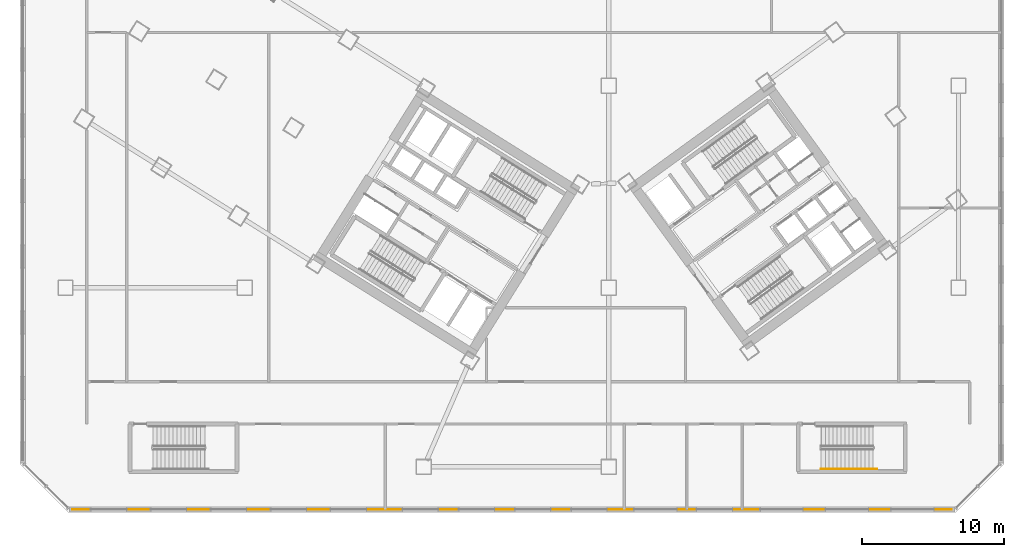
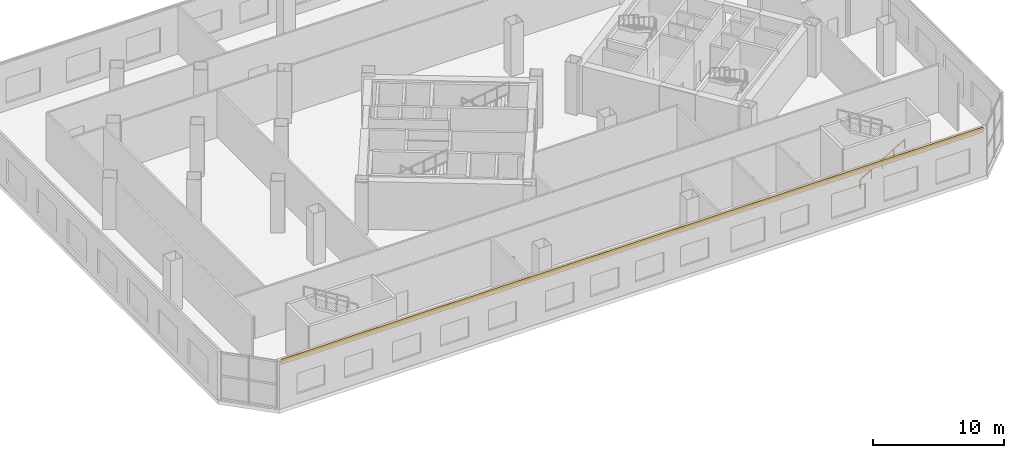
# One storey, part 19 of 22: 1 covering, 1 railing.
"""IFC4 building model written with IfcOpenShell, lengths in metres."""

from ifc_helpers import new_model, si_unit, direction, frame, origin, origin_2d, place, context, subcontext, project, spatial, rectangle, extrude, source, transform, mapped, material, layer, layer_set, type_object, element, save


model = new_model("IFC4")

# Units and contexts
model_context = context("Model", 3, precision=1e-05, world=origin(), true_north=direction((0.0, 1.0)))
body_context = subcontext(model_context, "Body", "Model", "MODEL_VIEW")
ifc_project = project(units=[si_unit("LENGTHUNIT", "METRE"), si_unit("AREAUNIT", "SQUARE_METRE"), si_unit("VOLUMEUNIT", "CUBIC_METRE"), si_unit("PLANEANGLEUNIT", "RADIAN"), si_unit("MASSUNIT", "GRAM", prefix="KILO")], contexts=[model_context])

# Site, building, storey
site_placement = place(None, origin())
site = spatial("IfcSite", under=ifc_project, at=site_placement, CompositionType="ELEMENT")
building_placement = place(site_placement, origin())
building = spatial("IfcBuilding", under=site, at=building_placement, Name="Tlacorven Tower", CompositionType="ELEMENT")
storey_placement = place(building_placement, frame((0.0, 0.0, 5.39990234375)))
storey = spatial("IfcBuildingStorey", under=building, at=storey_placement, Name="L01", CompositionType="ELEMENT", Elevation=5.39990234375)

# Covering
ifc_material_1 = material(Name="Precast concrete C45/55", Category="concrete")
ifc_layer = layer(ifc_material_1, 0.06005859375)
ifc_layer_set = layer_set([ifc_layer], Name="Precast concrete C45/55")
covering_type = type_object("IfcCoveringType", Name="CV-CLD-TERC", PredefinedType="CLADDING", material=ifc_layer_set)
shared_shape_1 = source(origin(), body_context, "Body", "SweptSolid", [
    extrude(rectangle(XDim=61.834228515625, YDim=0.06005859375, at=origin_2d()), origin(), (0.0, 0.0, 1.0), 0.47998046875),
])
covering_placement = place(storey_placement, frame((36.0, 1.60009765625, 3.97021484375), z_axis=(0.0, 0.0, 1.0), x_axis=(-1.0, 0.0, 0.0)))
element("IfcCovering", 1, at=covering_placement, inside=storey, type_object=covering_type, Name="L01 Expressed Terracotta Masonry Spandrel Band 8", PredefinedType="CLADDING", context=body_context, shape_type="MappedRepresentation", body=[
    mapped(shared_shape_1, transform((0.0, 0.0, 0.0), scale=1.0)),
])

# Railing
ifc_material_2 = material(Name="Aluminium and painted steel balustrade", Category="steel")
railing_type = type_object("IfcRailingType", Name="RL-HND-0900", PredefinedType="HANDRAIL", material=ifc_material_2)
shared_shape_2 = source(origin(), body_context, "Body", "SweptSolid", [
    extrude(rectangle(XDim=0.048095703125, YDim=0.048095703125, at=origin_2d()), frame((0.0, 0.0, 0.8759765625), z_axis=(0.852856131449, 0.0, 0.522145974847), x_axis=(0.0, 1.0, 0.0)), (0.0, 0.0, 1.0), 4.59619140625),
    extrude(rectangle(XDim=0.0419921875, YDim=0.0419921875, at=origin_2d()), origin(), (0.0, 0.0, 1.0), 0.851806640625),
    extrude(rectangle(XDim=0.0419921875, YDim=0.0419921875, at=origin_2d()), frame((0.97998046875, 0.0, 0.60009765625)), (0.0, 0.0, 1.0), 0.851806640625),
    extrude(rectangle(XDim=0.0419921875, YDim=0.0419921875, at=origin_2d()), frame((1.9599609375, 0.0, 1.199951171875)), (0.0, 0.0, 1.0), 0.851806640625),
    extrude(rectangle(XDim=0.0419921875, YDim=0.0419921875, at=origin_2d()), frame((2.93994140625, 0.0, 1.7998046875)), (0.0, 0.0, 1.0), 0.851806640625),
    extrude(rectangle(XDim=0.0419921875, YDim=0.0419921875, at=origin_2d()), frame((3.919921875, 0.0, 2.39990234375)), (0.0, 0.0, 1.0), 0.851806640625),
])
railing_placement = place(storey_placement, frame((57.75, 4.449951171875, 0.171630859375)))
element("IfcRailing", 2, at=railing_placement, inside=storey, type_object=railing_type, Name="L01 ST-P2 stair handrail 1", PredefinedType="HANDRAIL", context=body_context, shape_type="MappedRepresentation", body=[
    mapped(shared_shape_2, transform((0.0, 0.0, 0.0), scale=1.0)),
])

save(model, "model.ifc")
